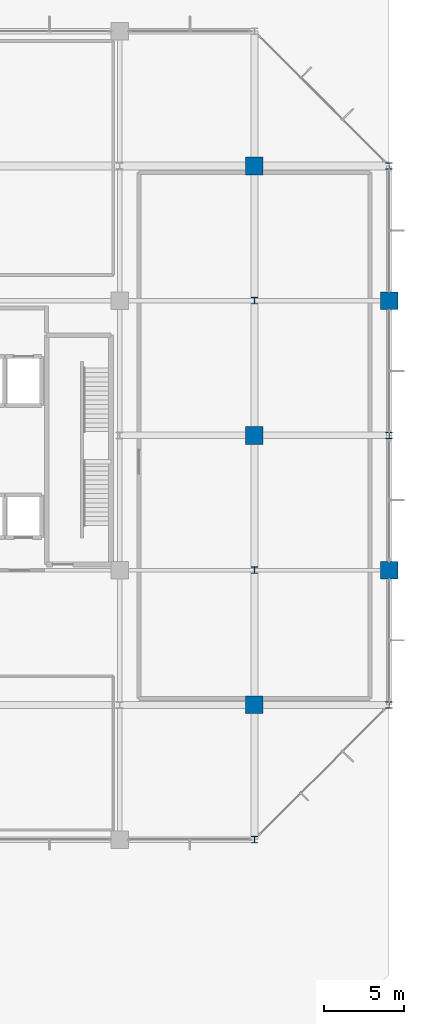
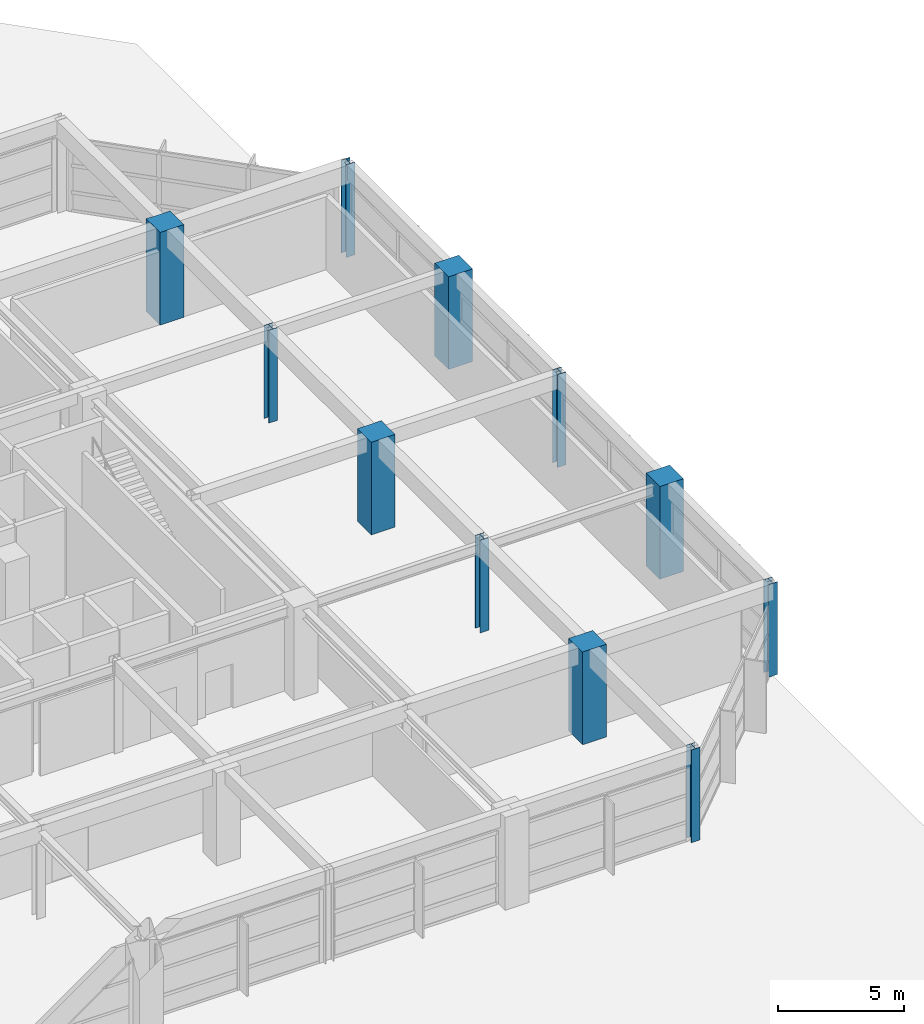
# One storey, part 6 of 47: 11 columns.
"""IFC4 building model written with IfcOpenShell, lengths in metres."""

from ifc_helpers import new_model, si_unit, direction, frame, origin, origin_2d, place, context, subcontext, project, spatial, rectangle, i_section, extrude, material, material_profile, profile_set, type_object, element, save


model = new_model("IFC4")

# Units and contexts
model_context = context("Model", 3, precision=1e-05, world=origin(), true_north=direction((0.0, 1.0)))
body_context = subcontext(model_context, "Body", "Model", "MODEL_VIEW")
ifc_project = project(units=[si_unit("LENGTHUNIT", "METRE"), si_unit("AREAUNIT", "SQUARE_METRE"), si_unit("VOLUMEUNIT", "CUBIC_METRE"), si_unit("PLANEANGLEUNIT", "RADIAN"), si_unit("MASSUNIT", "GRAM", prefix="KILO")], contexts=[model_context])

# Site, building, storey
site_placement = place(None, origin())
site = spatial("IfcSite", under=ifc_project, at=site_placement, CompositionType="ELEMENT")
building_placement = place(site_placement, origin())
building = spatial("IfcBuilding", under=site, at=building_placement, Name="Xuanlan Plaza Opera House", CompositionType="ELEMENT")
storey_placement = place(building_placement, frame((0.0, 0.0, 23.39990234375)))
storey = spatial("IfcBuildingStorey", under=building, at=storey_placement, Name="L05", CompositionType="ELEMENT", Elevation=23.39990234375)

# Columns
ifc_material_1 = material(Name="Concrete C50", Category="concrete")
ifc_material_profile_1 = material_profile(ifc_material_1, rectangle(XDim=1.10009765625, YDim=1.10009765625, at=origin_2d()), Name="RC-COL 1100x1100")
ifc_profile_set_1 = profile_set([ifc_material_profile_1], Name="Concrete C50")
column_type_1 = type_object("IfcColumnType", Name="STR-COL-C-03", PredefinedType="COLUMN", material=ifc_profile_set_1)
for number, where, z_axis, x_axis, name in (
    (1, (159.60009765625, 42.0, 0.0), (0.0, 0.0, 1.0), (1.0, 0.0, 0.0), "Column L05 20-F"),
    (2, (159.60009765625, 58.800048828125, 0.0), (0.0, 0.0, 1.0), (1.0, 0.0, 0.0), "Column L05 20-H"),
    (3, (159.60009765625, 75.60009765625, 0.0), (0.0, 0.0, 1.0), (1.0, 0.0, 0.0), "Column L05 20-J"),
    (4, (168.0, 50.39990234375, 0.0), (0.0, 0.0, 1.0), (1.0, 0.0, 0.0), "Column L05 21-G"),
    (5, (168.0, 67.199951171875, 0.0), (0.0, 0.0, 1.0), (1.0, 0.0, 0.0), "Column L05 21-I"),
):
    element("IfcColumn", number, at=place(storey_placement, frame(where, z_axis=z_axis, x_axis=x_axis)), inside=storey, type_object=column_type_1, Name=name, PredefinedType="COLUMN", context=body_context, shape_type="SweptSolid", body=[
        extrude(rectangle(XDim=1.10009765625, YDim=1.10009765625, at=origin_2d()), origin(), (0.0, 0.0, 1.0), 4.5),
    ])
ifc_material_2 = material(Name="Steel Q355B", Category="steel")
ifc_material_profile_2 = material_profile(ifc_material_2, i_section(OverallWidth=0.39990234375, OverallDepth=0.39990234375, WebThickness=0.012939453125, FlangeThickness=0.02099609375, FilletRadius=0.02197265625, at=origin_2d()), Name="HW 400x400x13x21")
ifc_profile_set_2 = profile_set([ifc_material_profile_2], Name="Steel Q355B")
column_type_2 = type_object("IfcColumnType", Name="STR-COL-C-14", PredefinedType="COLUMN", material=ifc_profile_set_2)
for number, where, z_axis, x_axis, name in (
    (6, (159.60009765625, 33.60009765625, 0.0), (0.0, 0.0, 1.0), (1.0, 0.0, 0.0), "Column L05 20-E"),
    (7, (159.60009765625, 50.39990234375, 0.0), (0.0, 0.0, 1.0), (1.0, 0.0, 0.0), "Column L05 20-G"),
    (8, (159.60009765625, 67.199951171875, 0.0), (0.0, 0.0, 1.0), (1.0, 0.0, 0.0), "Column L05 20-I"),
    (9, (168.0, 42.0, 0.0), (0.0, 0.0, 1.0), (1.0, 0.0, 0.0), "Column L05 21-F"),
    (10, (168.0, 58.800048828125, 0.0), (0.0, 0.0, 1.0), (1.0, 0.0, 0.0), "Column L05 21-H"),
    (11, (168.0, 75.60009765625, 0.0), (0.0, 0.0, 1.0), (1.0, 0.0, 0.0), "Column L05 21-J"),
):
    element("IfcColumn", number, at=place(storey_placement, frame(where, z_axis=z_axis, x_axis=x_axis)), inside=storey, type_object=column_type_2, Name=name, PredefinedType="COLUMN", context=body_context, shape_type="SweptSolid", body=[
        extrude(i_section(OverallWidth=0.39990234375, OverallDepth=0.39990234375, WebThickness=0.012939453125, FlangeThickness=0.02099609375, FilletRadius=0.02197265625, at=origin_2d()), origin(), (0.0, 0.0, 1.0), 4.5),
    ])

save(model, "model.ifc")
